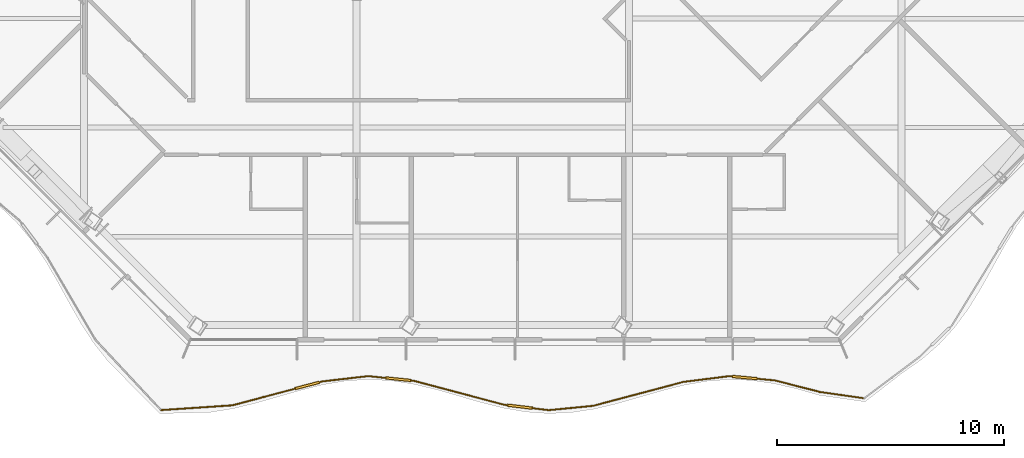
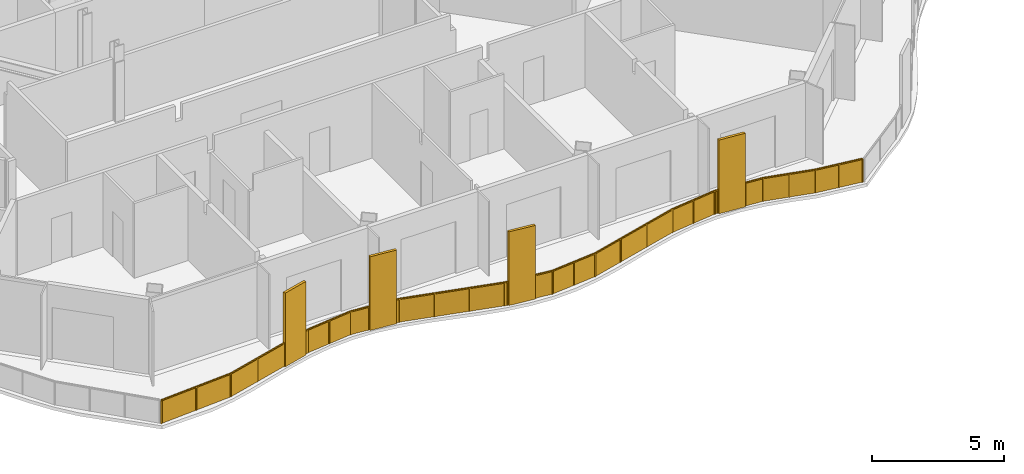
# One storey, part 15 of 19: 1 railing.
"""IFC4 building model written with IfcOpenShell, lengths in metres."""

from ifc_helpers import new_model, si_unit, direction, frame, origin, origin_2d, place, context, subcontext, project, spatial, polyline, rectangle, outline, extrude, material, type_object, element, save


model = new_model("IFC4")

# Units and contexts
model_context = context("Model", 3, precision=1e-05, world=origin(), true_north=direction((0.0, 1.0)))
body_context = subcontext(model_context, "Body", "Model", "MODEL_VIEW")
ifc_project = project(units=[si_unit("LENGTHUNIT", "METRE"), si_unit("AREAUNIT", "SQUARE_METRE"), si_unit("VOLUMEUNIT", "CUBIC_METRE"), si_unit("PLANEANGLEUNIT", "RADIAN"), si_unit("MASSUNIT", "GRAM", prefix="KILO")], contexts=[model_context])

# Site, building, storey
site_placement = place(None, origin())
site = spatial("IfcSite", under=ifc_project, at=site_placement, CompositionType="ELEMENT")
building_placement = place(site_placement, origin())
building = spatial("IfcBuilding", under=site, at=building_placement, Name="Cairn Pilgrim Tower", CompositionType="ELEMENT")
storey_placement = place(building_placement, frame((0.0, 0.0, 197.39990234375)))
storey = spatial("IfcBuildingStorey", under=building, at=storey_placement, Name="L50", CompositionType="ELEMENT", Elevation=197.39990234375)

# Railing
ifc_material = material(Name="Bronze anodised aluminium rail, posts and fin screens with laminated glass infill", Category="aluminium")
railing_type = type_object("IfcRailingType", Name="BALCONY GUARD WITH FIN SCREENS", PredefinedType="GUARDRAIL", material=ifc_material)
railing_placement = place(storey_placement, frame((-1.40673828125, -26.695556640625, 0.0)))
element("IfcRailing", 1, at=railing_placement, inside=storey, type_object=railing_type, Name="Balcony guard BGF-1 with fin screens", PredefinedType="GUARDRAIL", context=body_context, shape_type="SweptSolid", body=[
    extrude(rectangle(XDim=0.050048828125, YDim=0.050048828125, at=origin_2d()), frame((0.0, 0.0, 1.0751953125), z_axis=(0.997756262879, 0.066951026027, 0.0), x_axis=(-0.066951026027, 0.997756262879, 0.0)), (0.0, 0.0, 1.0), 3.150634765625),
    extrude(rectangle(XDim=1.10009765625, YDim=0.110107421875, at=origin_2d()), frame((6.435791015625, 1.085205078125, 0.0), z_axis=(0.0, 0.0, 1.0), x_axis=(0.966499877212, 0.256667074922, 0.0)), (0.0, 0.0, 1.0), 3.39990234375),
    extrude(rectangle(XDim=0.050048828125, YDim=0.050048828125, at=origin_2d()), frame((3.1435546875, 0.2109375, 1.0751953125), z_axis=(0.966499877212, 0.256667074922, 0.0), x_axis=(-0.256667074922, 0.966499877212, 0.0)), (0.0, 0.0, 1.0), 2.8564453125),
    extrude(rectangle(XDim=0.050048828125, YDim=0.050048828125, at=origin_2d()), frame((6.96728515625, 1.226318359375, 1.0751953125), z_axis=(0.966499877212, 0.256667074922, 0.0), x_axis=(-0.256667074922, 0.966499877212, 0.0)), (0.0, 0.0, 1.0), 0.14990234375),
    extrude(rectangle(XDim=0.050048828125, YDim=0.050048828125, at=origin_2d()), frame((7.1123046875, 1.264892578125, 1.0751953125), z_axis=(0.993457909333, 0.11419887208, 0.0), x_axis=(-0.11419887208, 0.993457909333, 0.0)), (0.0, 0.0, 1.0), 2.026611328125),
    extrude(rectangle(XDim=1.10009765625, YDim=0.110107421875, at=origin_2d()), frame((10.443603515625, 1.360107421875, 0.0), z_axis=(0.0, 0.0, 1.0), x_axis=(0.994697324396, -0.102845674874, 0.0)), (0.0, 0.0, 1.0), 3.39990234375),
    extrude(rectangle(XDim=0.050048828125, YDim=0.050048828125, at=origin_2d()), frame((9.125732421875, 1.496337890625, 1.0751953125), z_axis=(0.994697324396, -0.102845674874, 0.0), x_axis=(0.102845674874, 0.994697324396, 0.0)), (0.0, 0.0, 1.0), 0.77490234375),
    extrude(rectangle(XDim=0.050048828125, YDim=0.050048828125, at=origin_2d()), frame((10.99072265625, 1.303466796875, 1.0751953125), z_axis=(0.994697324396, -0.102845674874, 0.0), x_axis=(0.102845674874, 0.994697324396, 0.0)), (0.0, 0.0, 1.0), 0.14990234375),
    extrude(rectangle(XDim=0.050048828125, YDim=0.050048828125, at=origin_2d()), frame((11.139892578125, 1.2880859375, 1.0751953125), z_axis=(0.96653391674, -0.256538862148, 0.0), x_axis=(0.256538862148, 0.96653391674, 0.0)), (0.0, 0.0, 1.0), 4.111328125),
    extrude(rectangle(XDim=1.10009765625, YDim=0.110107421875, at=origin_2d()), frame((15.808349609375, 0.149658203125, 0.0), z_axis=(0.0, 0.0, 1.0), x_axis=(0.992805250534, -0.119740279407, 0.0)), (0.0, 0.0, 1.0), 3.39990234375),
    extrude(rectangle(XDim=0.050048828125, YDim=0.050048828125, at=origin_2d()), frame((15.113525390625, 0.2333984375, 1.0751953125), z_axis=(0.992805250534, -0.119740279407, 0.0), x_axis=(0.119740279407, 0.992805250534, 0.0)), (0.0, 0.0, 1.0), 0.14990234375),
    extrude(rectangle(XDim=0.050048828125, YDim=0.050048828125, at=origin_2d()), frame((16.3544921875, 0.083740234375, 1.0751953125), z_axis=(0.992805250534, -0.119740279407, 0.0), x_axis=(0.119740279407, 0.992805250534, 0.0)), (0.0, 0.0, 1.0), 0.7236328125),
    extrude(rectangle(XDim=0.050048828125, YDim=0.050048828125, at=origin_2d()), frame((17.072998046875, -0.0029296875, 1.0751953125), z_axis=(0.995267903759, 0.097168923771, 0.0), x_axis=(-0.097168923771, 0.995267903759, 0.0)), (0.0, 0.0, 1.0), 1.96728515625),
    extrude(rectangle(XDim=0.050048828125, YDim=0.050048828125, at=origin_2d()), frame((19.031005859375, 0.188232421875, 1.0751953125), z_axis=(0.966597026987, 0.256300970383, 0.0), x_axis=(-0.256300970383, 0.966597026987, 0.0)), (0.0, 0.0, 1.0), 4.107421875),
    extrude(rectangle(XDim=0.050048828125, YDim=0.050048828125, at=origin_2d()), frame((23.001220703125, 1.240966796875, 1.0751953125), z_axis=(0.992134639772, 0.125175303332, 0.0), x_axis=(-0.125175303332, 0.992134639772, 0.0)), (0.0, 0.0, 1.0), 2.0283203125),
    extrude(rectangle(XDim=1.10009765625, YDim=0.110107421875, at=origin_2d()), frame((25.710693359375, 1.430908203125, 0.0), z_axis=(0.0, 0.0, 1.0), x_axis=(0.995817678797, -0.091362741831, 0.0)), (0.0, 0.0, 1.0), 3.39990234375),
    extrude(rectangle(XDim=0.050048828125, YDim=0.050048828125, at=origin_2d()), frame((25.013671875, 1.494873046875, 1.0751953125), z_axis=(0.995817678797, -0.091362741831, 0.0), x_axis=(0.091362741831, 0.995817678797, 0.0)), (0.0, 0.0, 1.0), 0.14990234375),
    extrude(rectangle(XDim=0.050048828125, YDim=0.050048828125, at=origin_2d()), frame((26.25830078125, 1.380615234375, 1.0751953125), z_axis=(0.995817678797, -0.091362741831, 0.0), x_axis=(0.091362741831, 0.995817678797, 0.0)), (0.0, 0.0, 1.0), 0.77294921875),
    extrude(rectangle(XDim=0.050048828125, YDim=0.050048828125, at=origin_2d()), frame((27.028076171875, 1.31005859375, 1.0751953125), z_axis=(0.968663866044, -0.248375350268, 0.0), x_axis=(0.248375350268, 0.968663866044, 0.0)), (0.0, 0.0, 1.0), 2.054443359375),
    extrude(rectangle(XDim=0.050048828125, YDim=0.050048828125, at=origin_2d()), frame((29.01806640625, 0.7998046875, 1.0751953125), z_axis=(0.989952048215, -0.141403473209, 0.0), x_axis=(0.141403473209, 0.989952048215, 0.0)), (0.0, 0.0, 1.0), 1.911376953125),
    extrude(rectangle(XDim=0.050048828125, YDim=0.050048828125, at=origin_2d()), origin(), (0.0, 0.0, 1.0), 1.050048828125),
    extrude(rectangle(XDim=0.050048828125, YDim=0.050048828125, at=origin_2d()), frame((1.57177734375, 0.10546875, 0.0)), (0.0, 0.0, 1.0), 1.050048828125),
    extrude(rectangle(XDim=0.050048828125, YDim=0.050048828125, at=origin_2d()), frame((3.1435546875, 0.2109375, 0.0)), (0.0, 0.0, 1.0), 1.050048828125),
    extrude(rectangle(XDim=0.050048828125, YDim=0.050048828125, at=origin_2d()), frame((4.51171875, 0.57421875, 0.0)), (0.0, 0.0, 1.0), 1.050048828125),
    extrude(rectangle(XDim=0.050048828125, YDim=0.050048828125, at=origin_2d()), frame((5.880126953125, 0.937744140625, 0.0)), (0.0, 0.0, 1.0), 1.050048828125),
    extrude(rectangle(XDim=0.050048828125, YDim=0.050048828125, at=origin_2d()), frame((6.99169921875, 1.23291015625, 0.0)), (0.0, 0.0, 1.0), 1.050048828125),
    extrude(rectangle(XDim=0.050048828125, YDim=0.050048828125, at=origin_2d()), frame((7.1123046875, 1.264892578125, 0.0)), (0.0, 0.0, 1.0), 1.050048828125),
    extrude(rectangle(XDim=0.050048828125, YDim=0.050048828125, at=origin_2d()), frame((8.119140625, 1.380615234375, 0.0)), (0.0, 0.0, 1.0), 1.050048828125),
    extrude(rectangle(XDim=0.050048828125, YDim=0.050048828125, at=origin_2d()), frame((9.125732421875, 1.496337890625, 0.0)), (0.0, 0.0, 1.0), 1.050048828125),
    extrude(rectangle(XDim=0.050048828125, YDim=0.050048828125, at=origin_2d()), frame((9.87158203125, 1.419189453125, 0.0)), (0.0, 0.0, 1.0), 1.050048828125),
    extrude(rectangle(XDim=0.050048828125, YDim=0.050048828125, at=origin_2d()), frame((11.015625, 1.301025390625, 0.0)), (0.0, 0.0, 1.0), 1.050048828125),
    extrude(rectangle(XDim=0.050048828125, YDim=0.050048828125, at=origin_2d()), frame((11.139892578125, 1.2880859375, 0.0)), (0.0, 0.0, 1.0), 1.050048828125),
    extrude(rectangle(XDim=0.050048828125, YDim=0.050048828125, at=origin_2d()), frame((12.46435546875, 0.9365234375, 0.0)), (0.0, 0.0, 1.0), 1.050048828125),
    extrude(rectangle(XDim=0.050048828125, YDim=0.050048828125, at=origin_2d()), frame((13.7890625, 0.5849609375, 0.0)), (0.0, 0.0, 1.0), 1.050048828125),
    extrude(rectangle(XDim=0.050048828125, YDim=0.050048828125, at=origin_2d()), frame((15.113525390625, 0.2333984375, 0.0)), (0.0, 0.0, 1.0), 1.050048828125),
    extrude(rectangle(XDim=0.050048828125, YDim=0.050048828125, at=origin_2d()), frame((15.237548828125, 0.218505859375, 0.0)), (0.0, 0.0, 1.0), 1.050048828125),
    extrude(rectangle(XDim=0.050048828125, YDim=0.050048828125, at=origin_2d()), frame((16.37939453125, 0.080810546875, 0.0)), (0.0, 0.0, 1.0), 1.050048828125),
    extrude(rectangle(XDim=0.050048828125, YDim=0.050048828125, at=origin_2d()), frame((17.072998046875, -0.0029296875, 0.0)), (0.0, 0.0, 1.0), 1.050048828125),
    extrude(rectangle(XDim=0.050048828125, YDim=0.050048828125, at=origin_2d()), frame((18.052001953125, 0.0927734375, 0.0)), (0.0, 0.0, 1.0), 1.050048828125),
    extrude(rectangle(XDim=0.050048828125, YDim=0.050048828125, at=origin_2d()), frame((19.031005859375, 0.188232421875, 0.0)), (0.0, 0.0, 1.0), 1.050048828125),
    extrude(rectangle(XDim=0.050048828125, YDim=0.050048828125, at=origin_2d()), frame((20.3544921875, 0.5390625, 0.0)), (0.0, 0.0, 1.0), 1.050048828125),
    extrude(rectangle(XDim=0.050048828125, YDim=0.050048828125, at=origin_2d()), frame((21.677734375, 0.89013671875, 0.0)), (0.0, 0.0, 1.0), 1.050048828125),
    extrude(rectangle(XDim=0.050048828125, YDim=0.050048828125, at=origin_2d()), frame((23.001220703125, 1.240966796875, 0.0)), (0.0, 0.0, 1.0), 1.050048828125),
    extrude(rectangle(XDim=0.050048828125, YDim=0.050048828125, at=origin_2d()), frame((24.00732421875, 1.367919921875, 0.0)), (0.0, 0.0, 1.0), 1.050048828125),
    extrude(rectangle(XDim=0.050048828125, YDim=0.050048828125, at=origin_2d()), frame((25.013671875, 1.494873046875, 0.0)), (0.0, 0.0, 1.0), 1.050048828125),
    extrude(rectangle(XDim=0.050048828125, YDim=0.050048828125, at=origin_2d()), frame((25.13818359375, 1.4833984375, 0.0)), (0.0, 0.0, 1.0), 1.050048828125),
    extrude(rectangle(XDim=0.050048828125, YDim=0.050048828125, at=origin_2d()), frame((26.283203125, 1.37841796875, 0.0)), (0.0, 0.0, 1.0), 1.050048828125),
    extrude(rectangle(XDim=0.050048828125, YDim=0.050048828125, at=origin_2d()), frame((27.028076171875, 1.31005859375, 0.0)), (0.0, 0.0, 1.0), 1.050048828125),
    extrude(rectangle(XDim=0.050048828125, YDim=0.050048828125, at=origin_2d()), frame((28.02294921875, 1.054931640625, 0.0)), (0.0, 0.0, 1.0), 1.050048828125),
    extrude(rectangle(XDim=0.050048828125, YDim=0.050048828125, at=origin_2d()), frame((29.01806640625, 0.7998046875, 0.0)), (0.0, 0.0, 1.0), 1.050048828125),
    extrude(rectangle(XDim=0.050048828125, YDim=0.050048828125, at=origin_2d()), frame((29.964111328125, 0.66455078125, 0.0)), (0.0, 0.0, 1.0), 1.050048828125),
    extrude(rectangle(XDim=0.050048828125, YDim=0.050048828125, at=origin_2d()), frame((30.91015625, 0.529541015625, 0.0)), (0.0, 0.0, 1.0), 1.050048828125),
    extrude(outline(polyline([(0.02490234375, 0.0), (1.55029296875, 0.0), (1.55029296875, 1.050048828125), (0.02490234375, 1.050048828125), (0.02490234375, 0.0)])), frame((-0.00048828125, 0.005859375, 0.0), z_axis=(0.066951026027, -0.997756262879, 0.0), x_axis=(0.997756262879, 0.066951026027, 0.0)), (0.0, 0.0, 1.0), 0.011962890625),
    extrude(outline(polyline([(0.02490234375, 0.0), (1.55029296875, 0.0), (1.55029296875, 1.050048828125), (0.02490234375, 1.050048828125), (0.02490234375, 0.0)])), frame((1.5712890625, 0.111328125, 0.0), z_axis=(0.066951026027, -0.997756262879, 0.0), x_axis=(0.997756262879, 0.066951026027, 0.0)), (0.0, 0.0, 1.0), 0.011962890625),
    extrude(outline(polyline([(0.02490234375, 0.0), (1.390625, 0.0), (1.390625, 1.050048828125), (0.02490234375, 1.050048828125), (0.02490234375, 0.0)])), frame((3.14208984375, 0.216796875, 0.0), z_axis=(0.256667074922, -0.966499877212, 0.0), x_axis=(0.966499877212, 0.256667074922, 0.0)), (0.0, 0.0, 1.0), 0.011962890625),
    extrude(outline(polyline([(0.02490234375, 0.0), (1.390625, 0.0), (1.390625, 1.050048828125), (0.02490234375, 1.050048828125), (0.02490234375, 0.0)])), frame((4.51025390625, 0.580078125, 0.0), z_axis=(0.256667074922, -0.966499877212, 0.0), x_axis=(0.966499877212, 0.256667074922, 0.0)), (0.0, 0.0, 1.0), 0.011962890625),
    extrude(outline(polyline([(0.02490234375, 0.0), (0.099853515625, 0.0), (0.099853515625, 1.050048828125), (0.02490234375, 1.050048828125), (0.02490234375, 0.0)])), frame((6.989990234375, 1.238525390625, 0.0), z_axis=(0.256667074922, -0.966499877212, 0.0), x_axis=(0.966499877212, 0.256667074922, 0.0)), (0.0, 0.0, 1.0), 0.011962890625),
    extrude(outline(polyline([(0.02490234375, 0.0), (0.98828125, 0.0), (0.98828125, 1.050048828125), (0.02490234375, 1.050048828125), (0.02490234375, 0.0)])), frame((7.111572265625, 1.270751953125, 0.0), z_axis=(0.11419887208, -0.993457909333, 0.0), x_axis=(0.993457909333, 0.11419887208, 0.0)), (0.0, 0.0, 1.0), 0.011962890625),
    extrude(outline(polyline([(0.02490234375, 0.0), (0.98828125, 0.0), (0.98828125, 1.050048828125), (0.02490234375, 1.050048828125), (0.02490234375, 0.0)])), frame((8.118408203125, 1.386474609375, 0.0), z_axis=(0.11419887208, -0.993457909333, 0.0), x_axis=(0.993457909333, 0.11419887208, 0.0)), (0.0, 0.0, 1.0), 0.011962890625),
    extrude(outline(polyline([(0.02490234375, 0.0), (0.724853515625, 0.0), (0.724853515625, 1.050048828125), (0.02490234375, 1.050048828125), (0.02490234375, 0.0)])), frame((9.12646484375, 1.502197265625, 0.0), z_axis=(-0.102845674874, -0.994697324396, 0.0), x_axis=(0.994697324396, -0.102845674874, 0.0)), (0.0, 0.0, 1.0), 0.011962890625),
    extrude(outline(polyline([(0.02490234375, 0.0), (0.099853515625, 0.0), (0.099853515625, 1.050048828125), (0.02490234375, 1.050048828125), (0.02490234375, 0.0)])), frame((11.01611328125, 1.306884765625, 0.0), z_axis=(-0.102845674874, -0.994697324396, 0.0), x_axis=(0.994697324396, -0.102845674874, 0.0)), (0.0, 0.0, 1.0), 0.011962890625),
    extrude(outline(polyline([(0.02490234375, 0.0), (1.345458984375, 0.0), (1.345458984375, 1.050048828125), (0.02490234375, 1.050048828125), (0.02490234375, 0.0)])), frame((11.141357421875, 1.2939453125, 0.0), z_axis=(-0.256538862148, -0.96653391674, 0.0), x_axis=(0.96653391674, -0.256538862148, 0.0)), (0.0, 0.0, 1.0), 0.011962890625),
    extrude(outline(polyline([(0.02490234375, 0.0), (1.345458984375, 0.0), (1.345458984375, 1.050048828125), (0.02490234375, 1.050048828125), (0.02490234375, 0.0)])), frame((12.466064453125, 0.9423828125, 0.0), z_axis=(-0.256538862148, -0.96653391674, 0.0), x_axis=(0.96653391674, -0.256538862148, 0.0)), (0.0, 0.0, 1.0), 0.011962890625),
    extrude(outline(polyline([(0.02490234375, 0.0), (1.345458984375, 0.0), (1.345458984375, 1.050048828125), (0.02490234375, 1.050048828125), (0.02490234375, 0.0)])), frame((13.79052734375, 0.5908203125, 0.0), z_axis=(-0.256538862148, -0.96653391674, 0.0), x_axis=(0.96653391674, -0.256538862148, 0.0)), (0.0, 0.0, 1.0), 0.011962890625),
    extrude(outline(polyline([(0.02490234375, 0.0), (0.099853515625, 0.0), (0.099853515625, 1.050048828125), (0.02490234375, 1.050048828125), (0.02490234375, 0.0)])), frame((15.1142578125, 0.2392578125, 0.0), z_axis=(-0.119740279407, -0.992805250534, 0.0), x_axis=(0.992805250534, -0.119740279407, 0.0)), (0.0, 0.0, 1.0), 0.011962890625),
    extrude(outline(polyline([(0.02490234375, 0.0), (0.673583984375, 0.0), (0.673583984375, 1.050048828125), (0.02490234375, 1.050048828125), (0.02490234375, 0.0)])), frame((16.380126953125, 0.086669921875, 0.0), z_axis=(-0.119740279407, -0.992805250534, 0.0), x_axis=(0.992805250534, -0.119740279407, 0.0)), (0.0, 0.0, 1.0), 0.011962890625),
    extrude(outline(polyline([(0.02490234375, 0.0), (0.958740234375, 0.0), (0.958740234375, 1.050048828125), (0.02490234375, 1.050048828125), (0.02490234375, 0.0)])), frame((17.072509765625, 0.0029296875, 0.0), z_axis=(0.097168923771, -0.995267903759, 0.0), x_axis=(0.995267903759, 0.097168923771, 0.0)), (0.0, 0.0, 1.0), 0.011962890625),
    extrude(outline(polyline([(0.02490234375, 0.0), (0.958740234375, 0.0), (0.958740234375, 1.050048828125), (0.02490234375, 1.050048828125), (0.02490234375, 0.0)])), frame((18.051513671875, 0.0986328125, 0.0), z_axis=(0.097168923771, -0.995267903759, 0.0), x_axis=(0.995267903759, 0.097168923771, 0.0)), (0.0, 0.0, 1.0), 0.011962890625),
    extrude(outline(polyline([(0.02490234375, 0.0), (1.343994140625, 0.0), (1.343994140625, 1.050048828125), (0.02490234375, 1.050048828125), (0.02490234375, 0.0)])), frame((19.029541015625, 0.194091796875, 0.0), z_axis=(0.256300970383, -0.966597026987, 0.0), x_axis=(0.966597026987, 0.256300970383, 0.0)), (0.0, 0.0, 1.0), 0.011962890625),
    extrude(outline(polyline([(0.02490234375, 0.0), (1.343994140625, 0.0), (1.343994140625, 1.050048828125), (0.02490234375, 1.050048828125), (0.02490234375, 0.0)])), frame((20.352783203125, 0.544921875, 0.0), z_axis=(0.256300970383, -0.966597026987, 0.0), x_axis=(0.966597026987, 0.256300970383, 0.0)), (0.0, 0.0, 1.0), 0.011962890625),
    extrude(outline(polyline([(0.02490234375, 0.0), (1.343994140625, 0.0), (1.343994140625, 1.050048828125), (0.02490234375, 1.050048828125), (0.02490234375, 0.0)])), frame((21.67626953125, 0.895751953125, 0.0), z_axis=(0.256300970383, -0.966597026987, 0.0), x_axis=(0.966597026987, 0.256300970383, 0.0)), (0.0, 0.0, 1.0), 0.011962890625),
    extrude(outline(polyline([(0.02490234375, 0.0), (0.9892578125, 0.0), (0.9892578125, 1.050048828125), (0.02490234375, 1.050048828125), (0.02490234375, 0.0)])), frame((23.00048828125, 1.246826171875, 0.0), z_axis=(0.125175303332, -0.992134639772, 0.0), x_axis=(0.992134639772, 0.125175303332, 0.0)), (0.0, 0.0, 1.0), 0.011962890625),
    extrude(outline(polyline([(0.02490234375, 0.0), (0.9892578125, 0.0), (0.9892578125, 1.050048828125), (0.02490234375, 1.050048828125), (0.02490234375, 0.0)])), frame((24.006591796875, 1.373779296875, 0.0), z_axis=(0.125175303332, -0.992134639772, 0.0), x_axis=(0.992134639772, 0.125175303332, 0.0)), (0.0, 0.0, 1.0), 0.011962890625),
    extrude(outline(polyline([(0.02490234375, 0.0), (0.099853515625, 0.0), (0.099853515625, 1.050048828125), (0.02490234375, 1.050048828125), (0.02490234375, 0.0)])), frame((25.01416015625, 1.500732421875, 0.0), z_axis=(-0.091362741831, -0.995817678797, 0.0), x_axis=(0.995817678797, -0.091362741831, 0.0)), (0.0, 0.0, 1.0), 0.011962890625),
    extrude(outline(polyline([(0.02490234375, 0.0), (0.722900390625, 0.0), (0.722900390625, 1.050048828125), (0.02490234375, 1.050048828125), (0.02490234375, 0.0)])), frame((26.283935546875, 1.38427734375, 0.0), z_axis=(-0.091362741831, -0.995817678797, 0.0), x_axis=(0.995817678797, -0.091362741831, 0.0)), (0.0, 0.0, 1.0), 0.011962890625),
    extrude(outline(polyline([(0.02490234375, 0.0), (1.002197265625, 0.0), (1.002197265625, 1.050048828125), (0.02490234375, 1.050048828125), (0.02490234375, 0.0)])), frame((27.029541015625, 1.31591796875, 0.0), z_axis=(-0.248375350268, -0.968663866044, 0.0), x_axis=(0.968663866044, -0.248375350268, 0.0)), (0.0, 0.0, 1.0), 0.011962890625),
    extrude(outline(polyline([(0.02490234375, 0.0), (1.002197265625, 0.0), (1.002197265625, 1.050048828125), (0.02490234375, 1.050048828125), (0.02490234375, 0.0)])), frame((28.024658203125, 1.060791015625, 0.0), z_axis=(-0.248375350268, -0.968663866044, 0.0), x_axis=(0.968663866044, -0.248375350268, 0.0)), (0.0, 0.0, 1.0), 0.011962890625),
    extrude(outline(polyline([(0.02490234375, 0.0), (0.9306640625, 0.0), (0.9306640625, 1.050048828125), (0.02490234375, 1.050048828125), (0.02490234375, 0.0)])), frame((29.018798828125, 0.8056640625, 0.0), z_axis=(-0.141403473209, -0.989952048215, 0.0), x_axis=(0.989952048215, -0.141403473209, 0.0)), (0.0, 0.0, 1.0), 0.011962890625),
    extrude(outline(polyline([(0.02490234375, 0.0), (0.9306640625, 0.0), (0.9306640625, 1.050048828125), (0.02490234375, 1.050048828125), (0.02490234375, 0.0)])), frame((29.96484375, 0.670654296875, 0.0), z_axis=(-0.141403473209, -0.989952048215, 0.0), x_axis=(0.989952048215, -0.141403473209, 0.0)), (0.0, 0.0, 1.0), 0.011962890625),
])

save(model, "model.ifc")
